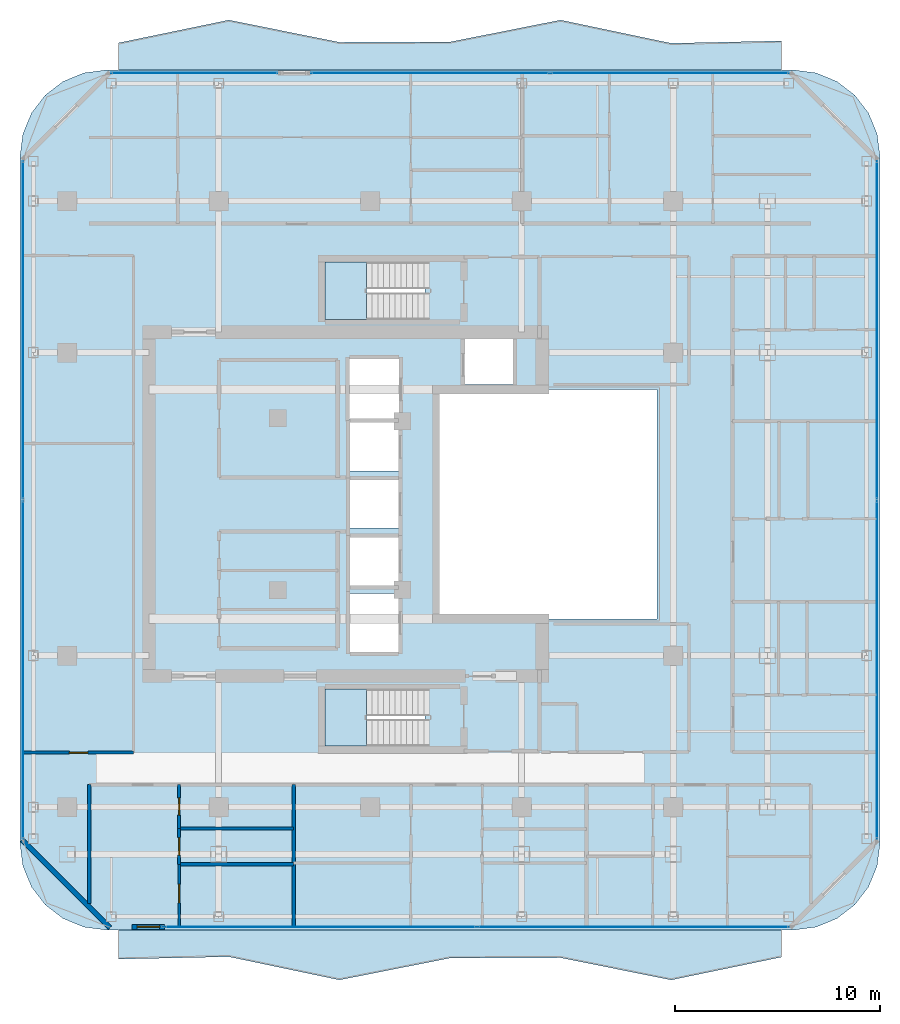
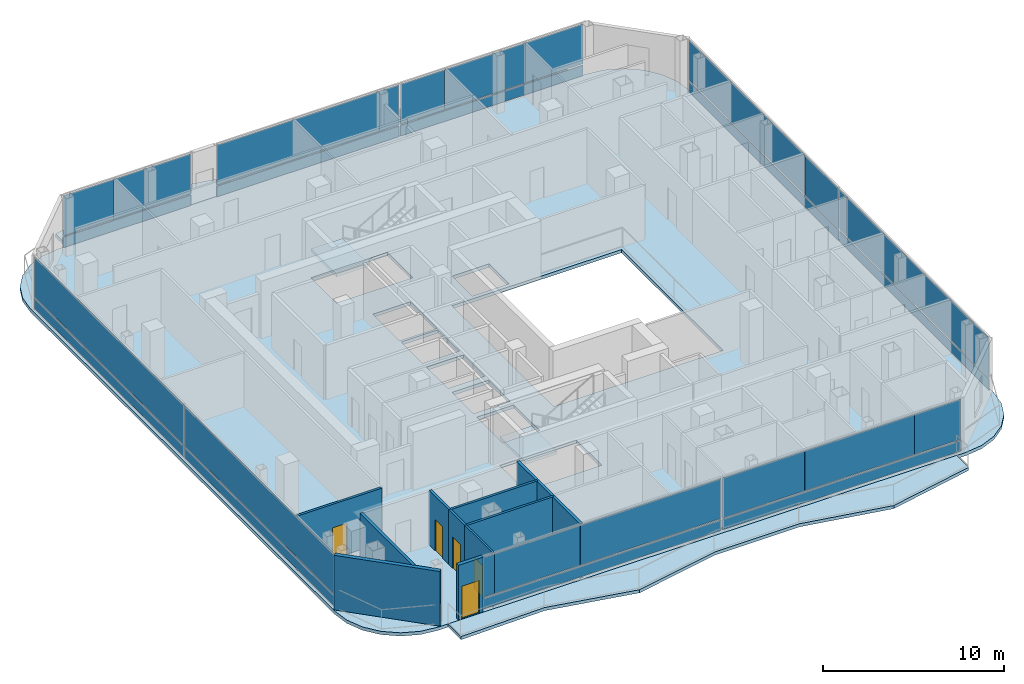
# One storey, part 16 of 24: 28 plates, 10 walls, 5 doors, 5 slabs, 5 openings, 7 elements without a shape of their own.
"""IFC4 building model written with IfcOpenShell, lengths in metres."""

from ifc_helpers import new_model, si_unit, direction, frame, frame_2d, origin, origin_2d, place, context, subcontext, project, spatial, polyline, rectangle, outline, extrude, material, layer, layer_set, type_object, element, fill, aggregate, save


model = new_model("IFC4")

# Units and contexts
model_context = context("Model", 3, precision=1e-05, world=origin(), true_north=direction((0.0, 1.0)))
body_context = subcontext(model_context, "Body", "Model", "MODEL_VIEW")
ifc_project = project(units=[si_unit("LENGTHUNIT", "METRE"), si_unit("AREAUNIT", "SQUARE_METRE"), si_unit("VOLUMEUNIT", "CUBIC_METRE"), si_unit("PLANEANGLEUNIT", "RADIAN"), si_unit("MASSUNIT", "GRAM", prefix="KILO")], contexts=[model_context])

# Site, building, storey
site_placement = place(None, origin())
site = spatial("IfcSite", under=ifc_project, at=site_placement, CompositionType="ELEMENT")
building_placement = place(site_placement, origin())
building = spatial("IfcBuilding", under=site, at=building_placement, Name="Khorvyn Point Tower", CompositionType="ELEMENT")
storey_placement = place(building_placement, frame((0.0, 0.0, 266.39990234375)))
storey = spatial("IfcBuildingStorey", under=building, at=storey_placement, Name="L65", CompositionType="ELEMENT", Elevation=266.39990234375)

# Slabs
ifc_material_1 = material(Name="Concrete C35/45", Category="concrete")
ifc_layer_1 = layer(ifc_material_1, 0.219970703125)
ifc_layer_set_1 = layer_set([ifc_layer_1], Name="Concrete C35/45 Structural Floor Slab 220")
slab_type_1 = type_object("IfcSlabType", Name="Concrete C35/45 Structural Floor Slab 220", PredefinedType="FLOOR", material=ifc_layer_set_1)
slab_1_placement = place(storey_placement, frame((0.0, 0.0, -0.219970703125)))
element("IfcSlab", 1, at=slab_1_placement, inside=storey, type_object=slab_type_1, Name="L65 Main Structural Floor Slab", PredefinedType="FLOOR", context=body_context, shape_type="SweptSolid", body=[
    extrude(outline(polyline([(-12.89990234375, -20.800048828125), (-13.987060546875, -20.656982421875), (-15.0, -20.2373046875), (-15.869873046875, -19.56982421875), (-16.537353515625, -18.699951171875), (-16.956787109375, -17.68701171875), (-17.10009765625, -16.60009765625), (-17.10009765625, 17.0), (-16.956787109375, 18.0869140625), (-16.537353515625, 19.10009765625), (-15.869873046875, 19.9697265625), (-15.0, 20.63720703125), (-13.987060546875, 21.056884765625), (-12.89990234375, 21.199951171875), (20.699951171875, 21.199951171875), (21.787109375, 21.056884765625), (22.800048828125, 20.63720703125), (23.669921875, 19.9697265625), (24.33740234375, 19.10009765625), (24.7568359375, 18.0869140625), (24.89990234375, 17.0), (24.89990234375, -16.60009765625), (24.7568359375, -17.68701171875), (24.33740234375, -18.699951171875), (23.669921875, -19.56982421875), (22.800048828125, -20.2373046875), (21.787109375, -20.656982421875), (20.699951171875, -20.800048828125), (-12.89990234375, -20.800048828125)]), holes=[polyline([(2.679931640625, -11.820068359375), (2.679931640625, -9.02001953125), (-2.199951171875, -9.02001953125), (-2.199951171875, -11.820068359375), (2.679931640625, -11.820068359375)]), polyline([(1.375, -7.22509765625), (1.375, -4.375), (-0.97509765625, -4.375), (-0.97509765625, -7.22509765625), (1.375, -7.22509765625)]), polyline([(1.375, -3.97509765625), (1.375, -1.625), (-0.97509765625, -1.625), (-0.97509765625, -3.97509765625), (1.375, -3.97509765625)]), polyline([(1.375, -1.175048828125), (1.375, 1.175048828125), (-0.97509765625, 1.175048828125), (-0.97509765625, -1.175048828125), (1.375, -1.175048828125)]), polyline([(14.0, -5.60009765625), (14.0, 5.60009765625), (3.199951171875, 5.60009765625), (3.199951171875, -5.60009765625), (14.0, -5.60009765625)]), polyline([(1.375, 1.625), (1.375, 3.97509765625), (-0.97509765625, 3.97509765625), (-0.97509765625, 1.625), (1.375, 1.625)]), polyline([(1.39990234375, 4.125), (1.39990234375, 7.074951171875), (-1.0, 7.074951171875), (-1.0, 4.125), (1.39990234375, 4.125)]), polyline([(4.625, 5.85009765625), (6.97509765625, 5.85009765625), (6.97509765625, 8.054931640625), (4.625, 8.054931640625), (4.625, 5.85009765625)]), polyline([(-2.199951171875, 9.02001953125), (2.679931640625, 9.02001953125), (2.679931640625, 11.820068359375), (-2.199951171875, 11.820068359375), (-2.199951171875, 9.02001953125)])]), origin(), (0.0, 0.0, 1.0), 0.219970703125),
])
ifc_material_2 = material(Name="Concrete C40/50", Category="concrete")
ifc_layer_2 = layer(ifc_material_2, 0.2099609375)
ifc_layer_set_2 = layer_set([ifc_layer_2], Name="Concrete C40/50 Rippling Balcony Slab 210")
slab_type_2 = type_object("IfcSlabType", Name="Concrete C40/50 Rippling Balcony Slab 210", PredefinedType="USERDEFINED", material=ifc_layer_set_2)
slab_2_placement = place(storey_placement, frame((0.0, 0.0, -0.2099609375)))
element("IfcSlab", 2, at=slab_2_placement, inside=storey, type_object=slab_type_2, Name="L65 North Sinusoidal Rippling Balcony", ObjectType="BALCONY", PredefinedType="USERDEFINED", context=body_context, shape_type="SweptSolid", body=[
    extrude(outline(polyline([(20.10009765625, 21.199951171875), (20.10009765625, 22.62255859375), (14.699951171875, 22.5068359375), (9.300048828125, 23.6416015625), (3.89990234375, 22.571533203125), (-1.5, 22.554931640625), (-6.89990234375, 23.642333984375), (-12.300048828125, 22.522705078125), (-12.300048828125, 21.199951171875), (20.10009765625, 21.199951171875)])), origin(), (0.0, 0.0, 1.0), 0.2099609375),
])
slab_3_placement = place(storey_placement, frame((0.0, 0.0, -0.2099609375)))
element("IfcSlab", 3, at=slab_3_placement, inside=storey, type_object=slab_type_2, Name="L65 South Sinusoidal Rippling Balcony", ObjectType="BALCONY", PredefinedType="USERDEFINED", context=body_context, shape_type="SweptSolid", body=[
    extrude(outline(polyline([(-12.300048828125, -20.800048828125), (-12.300048828125, -22.22265625), (-6.89990234375, -22.10693359375), (-1.5, -23.241455078125), (3.89990234375, -22.171630859375), (9.300048828125, -22.155029296875), (14.699951171875, -23.2421875), (20.10009765625, -22.12255859375), (20.10009765625, -20.800048828125), (-12.300048828125, -20.800048828125)])), origin(), (0.0, 0.0, 1.0), 0.2099609375),
])

# Stair, slab
stair_type = type_object("IfcStairType", Name="Tower Concrete C40/50 Dogleg Exit Stair", PredefinedType="HALF_TURN_STAIR", material=ifc_material_2)
stair_1_placement = place(storey_placement, origin())
stair_1 = element("IfcStair", 4, at=stair_1_placement, inside=storey, type_object=stair_type, Name="L65 Tower Smokeproof Exit Stair South", PredefinedType="HALF_TURN_STAIR")
ifc_layer_3 = layer(ifc_material_2, 0.199951171875)
ifc_layer_set_3 = layer_set([ifc_layer_3], Name="Concrete C40/50 Stair Landing Slab 200")
slab_type_3 = type_object("IfcSlabType", Name="Concrete C40/50 Stair Landing Slab 200", PredefinedType="LANDING", material=ifc_layer_set_3)
slab_4_placement = place(storey_placement, frame((0.0, 0.0, 1.75)))
slab_4 = element("IfcSlab", 5, at=slab_4_placement, type_object=slab_type_3, Name="ST-01 landing 1", PredefinedType="LANDING", context=body_context, shape_type="SweptSolid", body=[
    extrude(outline(polyline([(-0.179931640625, -9.02001953125), (-2.199951171875, -9.02001953125), (-2.199951171875, -11.820068359375), (-0.179931640625, -11.820068359375), (-0.179931640625, -9.02001953125)])), origin(), (0.0, 0.0, 1.0), 0.2001953125),
])
aggregate(stair_1, [slab_4])

stair_2_placement = place(storey_placement, origin())
stair_2 = element("IfcStair", 6, at=stair_2_placement, inside=storey, type_object=stair_type, Name="L65 Tower Smokeproof Exit Stair North", PredefinedType="HALF_TURN_STAIR")
slab_5_placement = place(storey_placement, frame((0.0, 0.0, 1.75)))
slab_5 = element("IfcSlab", 7, at=slab_5_placement, type_object=slab_type_3, Name="ST-02 landing 1", PredefinedType="LANDING", context=body_context, shape_type="SweptSolid", body=[
    extrude(outline(polyline([(-0.179931640625, 11.820068359375), (-2.199951171875, 11.820068359375), (-2.199951171875, 9.02001953125), (-0.179931640625, 9.02001953125), (-0.179931640625, 11.820068359375)])), origin(), (0.0, 0.0, 1.0), 0.2001953125),
])
aggregate(stair_2, [slab_5])

# Curtain wall, plates
ifc_material_3 = material(Name="Anodised aluminium 6063-T6 and laminated Low-E glass", Category="aluminium")
ifc_layer_4 = layer(ifc_material_3, 0.18994140625)
ifc_layer_set_4 = layer_set([ifc_layer_4], Name="Stick-Built High-Wind Curtain Wall CW-SYS-04")
curtain_wall_type = type_object("IfcCurtainWallType", Name="Stick-Built High-Wind Curtain Wall CW-SYS-04", PredefinedType="NOTDEFINED", material=ifc_layer_set_4)
curtain_wall_1_placement = place(storey_placement, origin())
curtain_wall_1 = element("IfcCurtainWall", 8, at=curtain_wall_1_placement, inside=storey, type_object=curtain_wall_type, Name="Curtain Wall", PredefinedType="NOTDEFINED")
ifc_material_4 = material(Name="Pale anodised aluminium 5005", Category="aluminium")
ifc_layer_5 = layer(ifc_material_4, 0.0400390625)
ifc_layer_set_5 = layer_set([ifc_layer_5], Name="Pale Champagne Aluminium Insulated Spandrel Panel CW-SP40")
plate_type_1 = type_object("IfcPlateType", Name="Pale Champagne Aluminium Insulated Spandrel Panel CW-SP40", PredefinedType="SHEET", material=ifc_layer_set_5)
plate_1_placement = place(storey_placement, frame((12.8603515625, -20.64990234375, 0.10009765625), z_axis=(0.0, 0.0, 1.0), x_axis=(-1.0, 0.0, 0.0)))
plate_1 = element("IfcPlate", 9, at=plate_1_placement, type_object=plate_type_1, Name="Panel", PredefinedType="SHEET", context=body_context, shape_type="SweptSolid", body=[
    extrude(rectangle(XDim=15.179443359375, YDim=0.0400390625, at=origin_2d()), origin(), (0.0, 0.0, 1.0), 0.699951171875),
])
plate_2_placement = place(storey_placement, frame((-2.419189453125, -20.64990234375, 0.10009765625), z_axis=(0.0, 0.0, 1.0), x_axis=(-1.0, 0.0, 0.0)))
plate_2 = element("IfcPlate", 10, at=plate_2_placement, type_object=plate_type_1, Name="Panel", PredefinedType="SHEET", context=body_context, shape_type="SweptSolid", body=[
    extrude(rectangle(XDim=15.179443359375, YDim=0.0400390625, at=origin_2d()), origin(), (0.0, 0.0, 1.0), 0.699951171875),
])

# Curtain wall, plate
curtain_wall_2_placement = place(storey_placement, origin())
curtain_wall_2 = element("IfcCurtainWall", 11, at=curtain_wall_2_placement, inside=storey, type_object=curtain_wall_type, Name="Curtain Wall", PredefinedType="NOTDEFINED")
plate_3_placement = place(storey_placement, frame((-8.58740234375, 21.050048828125, 0.10009765625), z_axis=(0.0, 0.0, 1.0), x_axis=(1.0, 0.0, 0.0)))
plate_3 = element("IfcPlate", 12, at=plate_3_placement, type_object=plate_type_1, Name="Panel", PredefinedType="SHEET", context=body_context, shape_type="SweptSolid", body=[
    extrude(rectangle(XDim=8.125, YDim=0.0400390625, at=origin_2d()), origin(), (0.0, 0.0, 1.0), 0.699951171875),
])

# Curtain wall, plates
curtain_wall_3_placement = place(storey_placement, origin())
curtain_wall_3 = element("IfcCurtainWall", 13, at=curtain_wall_3_placement, inside=storey, type_object=curtain_wall_type, Name="Curtain Wall", PredefinedType="NOTDEFINED")
plate_4_placement = place(storey_placement, frame((2.923828125, 21.050048828125, 0.10009765625), z_axis=(0.0, 0.0, 1.0), x_axis=(1.0, 0.0, 0.0)))
plate_4 = element("IfcPlate", 14, at=plate_4_placement, type_object=plate_type_1, Name="Panel", PredefinedType="SHEET", context=body_context, shape_type="SweptSolid", body=[
    extrude(rectangle(XDim=11.617431640625, YDim=0.0400390625, at=origin_2d()), origin(), (0.0, 0.0, 1.0), 0.699951171875),
])
plate_5_placement = place(storey_placement, frame((14.641357421875, 21.050048828125, 0.10009765625), z_axis=(0.0, 0.0, 1.0), x_axis=(1.0, 0.0, 0.0)))
plate_5 = element("IfcPlate", 15, at=plate_5_placement, type_object=plate_type_1, Name="Panel", PredefinedType="SHEET", context=body_context, shape_type="SweptSolid", body=[
    extrude(rectangle(XDim=11.617431640625, YDim=0.0400390625, at=origin_2d()), origin(), (0.0, 0.0, 1.0), 0.699951171875),
])

curtain_wall_4_placement = place(storey_placement, origin())
curtain_wall_4 = element("IfcCurtainWall", 16, at=curtain_wall_4_placement, inside=storey, type_object=curtain_wall_type, Name="Curtain Wall", PredefinedType="NOTDEFINED")
plate_6_placement = place(storey_placement, frame((-16.949951171875, -8.10009765625, 0.10009765625), z_axis=(0.0, 0.0, 1.0), x_axis=(0.0, 1.0, 0.0)))
plate_6 = element("IfcPlate", 17, at=plate_6_placement, type_object=plate_type_1, Name="Panel", PredefinedType="SHEET", context=body_context, shape_type="SweptSolid", body=[
    extrude(rectangle(XDim=16.5, YDim=0.0400390625, at=origin_2d()), origin(), (0.0, 0.0, 1.0), 0.699951171875),
])
plate_7_placement = place(storey_placement, frame((-16.949951171875, 8.5, 0.10009765625), z_axis=(0.0, 0.0, 1.0), x_axis=(0.0, 1.0, 0.0)))
plate_7 = element("IfcPlate", 18, at=plate_7_placement, type_object=plate_type_1, Name="Panel", PredefinedType="SHEET", context=body_context, shape_type="SweptSolid", body=[
    extrude(rectangle(XDim=16.5, YDim=0.0400390625, at=origin_2d()), origin(), (0.0, 0.0, 1.0), 0.699951171875),
])

curtain_wall_5_placement = place(storey_placement, origin())
curtain_wall_5 = element("IfcCurtainWall", 19, at=curtain_wall_5_placement, inside=storey, type_object=curtain_wall_type, Name="Curtain Wall", PredefinedType="NOTDEFINED")
plate_8_placement = place(storey_placement, frame((24.75, 8.5, 0.10009765625), z_axis=(0.0, 0.0, 1.0), x_axis=(0.0, -1.0, 0.0)))
plate_8 = element("IfcPlate", 20, at=plate_8_placement, type_object=plate_type_1, Name="Panel", PredefinedType="SHEET", context=body_context, shape_type="SweptSolid", body=[
    extrude(rectangle(XDim=16.5, YDim=0.0400390625, at=origin_2d()), origin(), (0.0, 0.0, 1.0), 0.699951171875),
])
plate_9_placement = place(storey_placement, frame((24.75, -8.10009765625, 0.10009765625), z_axis=(0.0, 0.0, 1.0), x_axis=(0.0, -1.0, 0.0)))
plate_9 = element("IfcPlate", 21, at=plate_9_placement, type_object=plate_type_1, Name="Panel", PredefinedType="SHEET", context=body_context, shape_type="SweptSolid", body=[
    extrude(rectangle(XDim=16.5, YDim=0.0400390625, at=origin_2d()), origin(), (0.0, 0.0, 1.0), 0.699951171875),
])

# Plate
ifc_material_5 = material(Name="Laminated Low-E insulated glass", Category="glass")
ifc_layer_6 = layer(ifc_material_5, 0.028076171875)
ifc_layer_set_6 = layer_set([ifc_layer_6], Name="Tempered Low-E Vision Glazing Panel CW-GL28")
plate_type_2 = type_object("IfcPlateType", Name="Tempered Low-E Vision Glazing Panel CW-GL28", PredefinedType="CURTAIN_PANEL", material=ifc_layer_set_6)
plate_10_placement = place(storey_placement, frame((7.88818359375, -20.64990234375, 0.89990234375), z_axis=(0.0, 0.0, 1.0), x_axis=(-1.0, 0.0, 0.0)))
plate_10 = element("IfcPlate", 22, at=plate_10_placement, type_object=plate_type_2, Name="Panel", PredefinedType="CURTAIN_PANEL", context=body_context, shape_type="SweptSolid", body=[
    extrude(rectangle(XDim=5.2275390625, YDim=0.028076171875, at=origin_2d()), origin(), (0.0, 0.0, 1.0), 2.679931640625),
])

plate_11_placement = place(storey_placement, frame((14.00439453125, -20.64990234375, 0.89990234375), z_axis=(0.0, 0.0, 1.0), x_axis=(-1.0, 0.0, 0.0)))
plate_11 = element("IfcPlate", 23, at=plate_11_placement, type_object=plate_type_2, Name="Panel", PredefinedType="CURTAIN_PANEL", context=body_context, shape_type="SweptSolid", body=[
    extrude(rectangle(XDim=6.989013671875, YDim=0.028076171875, at=origin_2d()), origin(), (0.0, 0.0, 1.0), 2.679931640625),
])

plate_12_placement = place(storey_placement, frame((18.9765625, -20.64990234375, 0.89990234375), z_axis=(0.0, 0.0, 1.0), x_axis=(-1.0, 0.0, 0.0)))
plate_12 = element("IfcPlate", 24, at=plate_12_placement, type_object=plate_type_2, Name="Panel", PredefinedType="CURTAIN_PANEL", context=body_context, shape_type="SweptSolid", body=[
    extrude(rectangle(XDim=2.93896484375, YDim=0.028076171875, at=origin_2d()), origin(), (0.0, 0.0, 1.0), 2.679931640625),
])

plate_13_placement = place(storey_placement, frame((-9.637939453125, -20.64990234375, 0.89990234375), z_axis=(0.0, 0.0, 1.0), x_axis=(-1.0, 0.0, 0.0)))
plate_13 = element("IfcPlate", 25, at=plate_13_placement, type_object=plate_type_2, Name="Panel", PredefinedType="CURTAIN_PANEL", context=body_context, shape_type="SweptSolid", body=[
    extrude(rectangle(XDim=0.73388671875, YDim=0.028076171875, at=origin_2d()), origin(), (0.0, 0.0, 1.0), 2.679931640625),
])

plate_14_placement = place(storey_placement, frame((-6.531005859375, -20.64990234375, 0.89990234375), z_axis=(0.0, 0.0, 1.0), x_axis=(-1.0, 0.0, 0.0)))
plate_14 = element("IfcPlate", 26, at=plate_14_placement, type_object=plate_type_2, Name="Panel", PredefinedType="CURTAIN_PANEL", context=body_context, shape_type="SweptSolid", body=[
    extrude(rectangle(XDim=5.464111328125, YDim=0.028076171875, at=origin_2d()), origin(), (0.0, 0.0, 1.0), 2.679931640625),
])

plate_15_placement = place(storey_placement, frame((0.687744140625, -20.64990234375, 0.89990234375), z_axis=(0.0, 0.0, 1.0), x_axis=(-1.0, 0.0, 0.0)))
plate_15 = element("IfcPlate", 27, at=plate_15_placement, type_object=plate_type_2, Name="Panel", PredefinedType="CURTAIN_PANEL", context=body_context, shape_type="SweptSolid", body=[
    extrude(rectangle(XDim=8.95751953125, YDim=0.028076171875, at=origin_2d()), origin(), (0.0, 0.0, 1.0), 2.679931640625),
])

aggregate(curtain_wall_1, [plate_1, plate_10, plate_11, plate_12, plate_2, plate_13, plate_14, plate_15])

plate_16_placement = place(storey_placement, frame((-11.052490234375, 21.050048828125, 0.89990234375), z_axis=(0.0, 0.0, 1.0), x_axis=(1.0, 0.0, 0.0)))
plate_16 = element("IfcPlate", 28, at=plate_16_placement, type_object=plate_type_2, Name="Panel", PredefinedType="CURTAIN_PANEL", context=body_context, shape_type="SweptSolid", body=[
    extrude(rectangle(XDim=3.18701171875, YDim=0.028076171875, at=origin_2d()), origin(), (0.0, 0.0, 1.0), 2.679931640625),
])

plate_17_placement = place(storey_placement, frame((-6.989990234375, 21.050048828125, 0.89990234375), z_axis=(0.0, 0.0, 1.0), x_axis=(1.0, 0.0, 0.0)))
plate_17 = element("IfcPlate", 29, at=plate_17_placement, type_object=plate_type_2, Name="Panel", PredefinedType="CURTAIN_PANEL", context=body_context, shape_type="SweptSolid", body=[
    extrude(rectangle(XDim=4.922119140625, YDim=0.028076171875, at=origin_2d()), origin(), (0.0, 0.0, 1.0), 2.679931640625),
])

aggregate(curtain_wall_2, [plate_3, plate_16, plate_17])

plate_18_placement = place(storey_placement, frame((2.299560546875, 21.050048828125, 0.89990234375), z_axis=(0.0, 0.0, 1.0), x_axis=(1.0, 0.0, 0.0)))
plate_18 = element("IfcPlate", 30, at=plate_18_placement, type_object=plate_type_2, Name="Panel", PredefinedType="CURTAIN_PANEL", context=body_context, shape_type="SweptSolid", body=[
    extrude(rectangle(XDim=10.361083984375, YDim=0.028076171875, at=origin_2d()), origin(), (0.0, 0.0, 1.0), 2.679931640625),
])

plate_19_placement = place(storey_placement, frame((8.108154296875, 21.050048828125, 0.89990234375), z_axis=(0.0, 0.0, 1.0), x_axis=(1.0, 0.0, 0.0)))
plate_19 = element("IfcPlate", 31, at=plate_19_placement, type_object=plate_type_2, Name="Panel", PredefinedType="CURTAIN_PANEL", context=body_context, shape_type="SweptSolid", body=[
    extrude(rectangle(XDim=1.240478515625, YDim=0.028076171875, at=origin_2d()), origin(), (0.0, 0.0, 1.0), 2.679931640625),
])

plate_20_placement = place(storey_placement, frame((10.228271484375, 21.050048828125, 0.89990234375), z_axis=(0.0, 0.0, 1.0), x_axis=(1.0, 0.0, 0.0)))
plate_20 = element("IfcPlate", 32, at=plate_20_placement, type_object=plate_type_2, Name="Panel", PredefinedType="CURTAIN_PANEL", context=body_context, shape_type="SweptSolid", body=[
    extrude(rectangle(XDim=2.783447265625, YDim=0.028076171875, at=origin_2d()), origin(), (0.0, 0.0, 1.0), 2.679931640625),
])

plate_21_placement = place(storey_placement, frame((14.2109375, 21.050048828125, 0.89990234375), z_axis=(0.0, 0.0, 1.0), x_axis=(1.0, 0.0, 0.0)))
plate_21 = element("IfcPlate", 33, at=plate_21_placement, type_object=plate_type_2, Name="Panel", PredefinedType="CURTAIN_PANEL", context=body_context, shape_type="SweptSolid", body=[
    extrude(rectangle(XDim=5.166015625, YDim=0.028076171875, at=origin_2d()), origin(), (0.0, 0.0, 1.0), 2.679931640625),
])

plate_22_placement = place(storey_placement, frame((18.6240234375, 21.050048828125, 0.89990234375), z_axis=(0.0, 0.0, 1.0), x_axis=(1.0, 0.0, 0.0)))
plate_22 = element("IfcPlate", 34, at=plate_22_placement, type_object=plate_type_2, Name="Panel", PredefinedType="CURTAIN_PANEL", context=body_context, shape_type="SweptSolid", body=[
    extrude(rectangle(XDim=3.64404296875, YDim=0.028076171875, at=origin_2d()), origin(), (0.0, 0.0, 1.0), 2.679931640625),
])

aggregate(curtain_wall_3, [plate_4, plate_18, plate_19, plate_5, plate_20, plate_21, plate_22])

plate_23_placement = place(storey_placement, frame((-16.949951171875, -8.10009765625, 0.89990234375), z_axis=(0.0, 0.0, 1.0), x_axis=(0.0, 1.0, 0.0)))
plate_23 = element("IfcPlate", 35, at=plate_23_placement, type_object=plate_type_2, Name="Panel", PredefinedType="CURTAIN_PANEL", context=body_context, shape_type="SweptSolid", body=[
    extrude(rectangle(XDim=16.5, YDim=0.028076171875, at=origin_2d()), origin(), (0.0, 0.0, 1.0), 2.679931640625),
])

plate_24_placement = place(storey_placement, frame((-16.949951171875, 8.5, 0.89990234375), z_axis=(0.0, 0.0, 1.0), x_axis=(0.0, 1.0, 0.0)))
plate_24 = element("IfcPlate", 36, at=plate_24_placement, type_object=plate_type_2, Name="Panel", PredefinedType="CURTAIN_PANEL", context=body_context, shape_type="SweptSolid", body=[
    extrude(rectangle(XDim=16.5, YDim=0.028076171875, at=origin_2d()), origin(), (0.0, 0.0, 1.0), 2.679931640625),
])

aggregate(curtain_wall_4, [plate_6, plate_23, plate_7, plate_24])

plate_25_placement = place(storey_placement, frame((24.75, 2.114990234375, 0.89990234375), z_axis=(0.0, 0.0, 1.0), x_axis=(0.0, -1.0, 0.0)))
plate_25 = element("IfcPlate", 37, at=plate_25_placement, type_object=plate_type_2, Name="Panel", PredefinedType="CURTAIN_PANEL", context=body_context, shape_type="SweptSolid", body=[
    extrude(rectangle(XDim=3.721923828125, YDim=0.028076171875, at=origin_2d()), origin(), (0.0, 0.0, 1.0), 2.679931640625),
])

plate_26_placement = place(storey_placement, frame((24.75, 10.364990234375, 0.89990234375), z_axis=(0.0, 0.0, 1.0), x_axis=(0.0, -1.0, 0.0)))
plate_26 = element("IfcPlate", 38, at=plate_26_placement, type_object=plate_type_2, Name="Panel", PredefinedType="CURTAIN_PANEL", context=body_context, shape_type="SweptSolid", body=[
    extrude(rectangle(XDim=12.761962890625, YDim=0.028076171875, at=origin_2d()), origin(), (0.0, 0.0, 1.0), 2.679931640625),
])

plate_27_placement = place(storey_placement, frame((24.75, -8.5029296875, 0.89990234375), z_axis=(0.0, 0.0, 1.0), x_axis=(0.0, -1.0, 0.0)))
plate_27 = element("IfcPlate", 39, at=plate_27_placement, type_object=plate_type_2, Name="Panel", PredefinedType="CURTAIN_PANEL", context=body_context, shape_type="SweptSolid", body=[
    extrude(rectangle(XDim=15.68603515625, YDim=0.028076171875, at=origin_2d()), origin(), (0.0, 0.0, 1.0), 2.679931640625),
])

plate_28_placement = place(storey_placement, frame((24.75, -0.2529296875, 0.89990234375), z_axis=(0.0, 0.0, 1.0), x_axis=(0.0, -1.0, 0.0)))
plate_28 = element("IfcPlate", 40, at=plate_28_placement, type_object=plate_type_2, Name="Panel", PredefinedType="CURTAIN_PANEL", context=body_context, shape_type="SweptSolid", body=[
    extrude(rectangle(XDim=0.798095703125, YDim=0.028076171875, at=origin_2d()), origin(), (0.0, 0.0, 1.0), 2.679931640625),
])

aggregate(curtain_wall_5, [plate_8, plate_25, plate_26, plate_9, plate_27, plate_28])

# Walls
ifc_material_6 = material(Name="Double acoustic gypsum on twin steel stud", Category="steel")
ifc_layer_7 = layer(ifc_material_6, 0.179931640625)
ifc_layer_set_7 = layer_set([ifc_layer_7], Name="Acoustic Double-Stud Apartment Demising Wall 180")
wall_type_1 = type_object("IfcWallType", Name="Acoustic Double-Stud Apartment Demising Wall 180", PredefinedType="PARTITIONING", material=ifc_layer_set_7)
wall_1_placement = place(storey_placement, frame((-13.719970703125, -19.510009765625, 0.0), z_axis=(0.0, 0.0, 1.0), x_axis=(0.0, 1.0, 0.0)))
element("IfcWall", 41, at=wall_1_placement, inside=storey, type_object=wall_type_1, Name="Wall", PredefinedType="PARTITIONING", context=body_context, shape_type="SweptSolid", body=[
    extrude(rectangle(XDim=5.81005859375, YDim=0.179931640625, at=frame_2d((2.905029296875, 0.0))), origin(), (0.0, 0.0, 1.0), 3.68017578125),
])
wall_2_placement = place(storey_placement, frame((-3.735107421875, -20.6298828125, 0.0), z_axis=(0.0, 0.0, 1.0), x_axis=(0.0, 1.0, 0.0)))
element("IfcWall", 42, at=wall_2_placement, inside=storey, type_object=wall_type_1, Name="Wall", PredefinedType="PARTITIONING", context=body_context, shape_type="SweptSolid", body=[
    extrude(rectangle(XDim=6.929931640625, YDim=0.179931640625, at=frame_2d((3.46484375, 0.0))), origin(), (0.0, 0.0, 1.0), 3.68017578125),
])

# Wall, opening, door
ifc_material_7 = material(Name="Pale anodised aluminium rainscreen on steel stud", Category="steel")
ifc_layer_8 = layer(ifc_material_7, 0.239990234375)
ifc_layer_set_8 = layer_set([ifc_layer_8], Name="Anodised Aluminium Insulated Corner Spandrel Wall 240")
wall_type_2 = type_object("IfcWallType", Name="Anodised Aluminium Insulated Corner Spandrel Wall 240", PredefinedType="SOLIDWALL", material=ifc_layer_set_8)
wall_3_placement = place(storey_placement, frame((-10.0390625, -20.64990234375, 0.0), z_axis=(0.0, 0.0, 1.0), x_axis=(-1.0, 0.0, 0.0)))
wall_3 = element("IfcWall", 43, at=wall_3_placement, inside=storey, type_object=wall_type_2, Name="L65 South Outdoor Threshold Wall", PredefinedType="SOLIDWALL", context=body_context, shape_type="SweptSolid", body=[
    extrude(rectangle(XDim=1.579833984375, YDim=0.239990234375, at=frame_2d((0.7900390625, 0.0))), origin(), (0.0, 0.0, 1.0), 3.68017578125),
])
opening_1_placement = place(wall_3_placement, frame((0.239990234375, 0.0, 0.0)))
opening_1 = element("IfcOpeningElement", 44, at=opening_1_placement, cuts=wall_3, Name="Opening BD-1122", PredefinedType="OPENING", context=body_context, shape_type="SweptSolid", body=[
    extrude(rectangle(XDim=1.10009765625, YDim=2.199951171875, at=frame_2d((0.550048828125, 1.10009765625))), frame((0.0, 0.1298828125, 0.0), z_axis=(0.0, -1.0, 0.0), x_axis=(1.0, 0.0, 0.0)), (0.0, 0.0, 1.0), 0.260009765625),
])
door_type_1 = type_object("IfcDoorType", Name="Glazed Balcony and Terrace Threshold Door 1100x2200", OperationType="NOTDEFINED", PredefinedType="DOOR", material=ifc_material_3)
door_1_placement = place(opening_1_placement, origin())
door_1 = element("IfcDoor", 45, at=door_1_placement, inside=storey, type_object=door_type_1, Name="L65 South Glazed Balcony Outdoor Door", OperationType="SINGLE_SWING_RIGHT", OverallHeight=2.199951171875, OverallWidth=1.10009765625, PredefinedType="DOOR", context=body_context, shape_type="SweptSolid", body=[
    extrude(rectangle(XDim=1.10009765625, YDim=2.199951171875, at=frame_2d((0.550048828125, 1.10009765625))), frame((0.0, 0.02490234375, 0.0), z_axis=(0.0, -1.0, 0.0), x_axis=(1.0, 0.0, 0.0)), (0.0, 0.0, 1.0), 0.050048828125),
])
fill(opening_1, door_1)

# Wall
wall_4_placement = place(storey_placement, frame((-12.70751953125, -20.6923828125, 0.0), z_axis=(0.0, 0.0, 1.0), x_axis=(-0.707126925818, 0.707086635981, 0.0)))
element("IfcWall", 46, at=wall_4_placement, inside=storey, type_object=wall_type_2, Name="L65 Rounded Corner Wall SW", PredefinedType="SOLIDWALL", context=body_context, shape_type="SweptSolid", body=[
    extrude(rectangle(XDim=6.0595703125, YDim=0.239990234375, at=frame_2d((3.02978515625, 0.0))), origin(), (0.0, 0.0, 1.0), 3.68017578125),
])

# Wall, opening, door
ifc_material_8 = material(Name="Gypsum plasterboard on steel stud", Category="steel")
ifc_layer_9 = layer(ifc_material_8, 0.1201171875)
ifc_layer_set_9 = layer_set([ifc_layer_9], Name="Gypsum Acoustic Stud Room Partition Wall 120")
wall_type_3 = type_object("IfcWallType", Name="Gypsum Acoustic Stud Room Partition Wall 120", PredefinedType="PARTITIONING", material=ifc_layer_set_9)
wall_5_placement = place(storey_placement, frame((-9.326904296875, -20.6298828125, 0.0), z_axis=(0.0, 0.0, 1.0), x_axis=(0.0, 1.0, 0.0)))
wall_5 = element("IfcWall", 47, at=wall_5_placement, inside=storey, type_object=wall_type_3, Name="Wall", PredefinedType="PARTITIONING", context=body_context, shape_type="SweptSolid", body=[
    extrude(rectangle(XDim=3.039794921875, YDim=0.1201171875, at=frame_2d((1.52001953125, 0.0))), origin(), (0.0, 0.0, 1.0), 3.68017578125),
])
opening_2_placement = place(wall_5_placement, frame((1.152587890625, 0.0, 0.0)))
opening_2 = element("IfcOpeningElement", 48, at=opening_2_placement, cuts=wall_5, Name="Opening ID-RM90", PredefinedType="OPENING", context=body_context, shape_type="SweptSolid", body=[
    extrude(rectangle(XDim=0.89990234375, YDim=2.10009765625, at=frame_2d((0.449951171875, 1.050048828125))), frame((0.0, 0.070068359375, 0.0), z_axis=(0.0, -1.0, 0.0), x_axis=(1.0, 0.0, 0.0)), (0.0, 0.0, 1.0), 0.14013671875),
])
ifc_material_9 = material(Name="Engineered oak veneer timber", Category="wood")
door_type_2 = type_object("IfcDoorType", Name="Flush Engineered Timber Room Door 900x2100", OperationType="NOTDEFINED", PredefinedType="DOOR", material=ifc_material_9)
door_2_placement = place(opening_2_placement, origin())
door_2 = element("IfcDoor", 49, at=door_2_placement, inside=storey, type_object=door_type_2, Name="Door", OperationType="SINGLE_SWING_LEFT", OverallHeight=2.10009765625, OverallWidth=0.89990234375, PredefinedType="DOOR", context=body_context, shape_type="SweptSolid", body=[
    extrude(rectangle(XDim=0.89990234375, YDim=2.10009765625, at=frame_2d((0.449951171875, 1.050048828125))), frame((0.0, 0.02490234375, 0.0), z_axis=(0.0, -1.0, 0.0), x_axis=(1.0, 0.0, 0.0)), (0.0, 0.0, 1.0), 0.050048828125),
])
fill(opening_2, door_2)

ifc_material_10 = material(Name="Moisture-resistant gypsum and cement board", Category="gypsum")
ifc_layer_10 = layer(ifc_material_10, 0.14990234375)
ifc_layer_set_10 = layer_set([ifc_layer_10], Name="Moisture-Resistant Wet-Room Partition Wall 150")
wall_type_4 = type_object("IfcWallType", Name="Moisture-Resistant Wet-Room Partition Wall 150", PredefinedType="PARTITIONING", material=ifc_layer_set_10)
wall_6_placement = place(storey_placement, frame((-9.326904296875, -15.839111328125, 0.0), z_axis=(0.0, 0.0, 1.0), x_axis=(0.0, 1.0, 0.0)))
wall_6 = element("IfcWall", 50, at=wall_6_placement, inside=storey, type_object=wall_type_4, Name="Wall", PredefinedType="PARTITIONING", context=body_context, shape_type="SweptSolid", body=[
    extrude(rectangle(XDim=2.13916015625, YDim=0.14990234375, at=frame_2d((1.069580078125, 0.0))), origin(), (0.0, 0.0, 1.0), 3.68017578125),
])
opening_3_placement = place(wall_6_placement, frame((0.64453125, 0.0, 0.0)))
opening_3 = element("IfcOpeningElement", 51, at=opening_3_placement, cuts=wall_6, Name="Opening ID-WC85", PredefinedType="OPENING", context=body_context, shape_type="SweptSolid", body=[
    extrude(rectangle(XDim=0.85009765625, YDim=2.10009765625, at=frame_2d((0.425048828125, 1.050048828125))), frame((0.0, 0.0849609375, 0.0), z_axis=(0.0, -1.0, 0.0), x_axis=(1.0, 0.0, 0.0)), (0.0, 0.0, 1.0), 0.169921875),
])
ifc_material_11 = material(Name="High-pressure laminate on moisture-resistant core", Category="wood")
door_type_3 = type_object("IfcDoorType", Name="Moisture-Resistant Accessible Washroom Door 850x2100", OperationType="NOTDEFINED", PredefinedType="DOOR", material=ifc_material_11)
door_3_placement = place(opening_3_placement, origin())
door_3 = element("IfcDoor", 52, at=door_3_placement, inside=storey, type_object=door_type_3, Name="Door", OperationType="SINGLE_SWING_LEFT", OverallHeight=2.10009765625, OverallWidth=0.85009765625, PredefinedType="DOOR", context=body_context, shape_type="SweptSolid", body=[
    extrude(rectangle(XDim=0.85009765625, YDim=2.10009765625, at=frame_2d((0.425048828125, 1.050048828125))), frame((0.0, 0.02490234375, 0.0), z_axis=(0.0, -1.0, 0.0), x_axis=(1.0, 0.0, 0.0)), (0.0, 0.0, 1.0), 0.050048828125),
])
fill(opening_3, door_3)

wall_7_placement = place(storey_placement, frame((-9.326904296875, -17.590087890625, 0.0), z_axis=(0.0, 0.0, 1.0), x_axis=(0.0, 1.0, 0.0)))
wall_7 = element("IfcWall", 53, at=wall_7_placement, inside=storey, type_object=wall_type_4, Name="Wall", PredefinedType="PARTITIONING", context=body_context, shape_type="SweptSolid", body=[
    extrude(rectangle(XDim=1.7509765625, YDim=0.14990234375, at=frame_2d((0.87548828125, 0.0))), origin(), (0.0, 0.0, 1.0), 3.68017578125),
])
opening_4_placement = place(wall_7_placement, frame((0.450439453125, 0.0, 0.0)))
opening_4 = element("IfcOpeningElement", 54, at=opening_4_placement, cuts=wall_7, Name="Opening ID-WC85", PredefinedType="OPENING", context=body_context, shape_type="SweptSolid", body=[
    extrude(rectangle(XDim=0.85009765625, YDim=2.10009765625, at=frame_2d((0.425048828125, 1.050048828125))), frame((0.0, 0.0849609375, 0.0), z_axis=(0.0, -1.0, 0.0), x_axis=(1.0, 0.0, 0.0)), (0.0, 0.0, 1.0), 0.169921875),
])
door_4_placement = place(opening_4_placement, origin())
door_4 = element("IfcDoor", 55, at=door_4_placement, inside=storey, type_object=door_type_3, Name="Door", OperationType="SINGLE_SWING_RIGHT", OverallHeight=2.10009765625, OverallWidth=0.85009765625, PredefinedType="DOOR", context=body_context, shape_type="SweptSolid", body=[
    extrude(rectangle(XDim=0.85009765625, YDim=2.10009765625, at=frame_2d((0.425048828125, 1.050048828125))), frame((0.0, 0.02490234375, 0.0), z_axis=(0.0, -1.0, 0.0), x_axis=(1.0, 0.0, 0.0)), (0.0, 0.0, 1.0), 0.050048828125),
])
fill(opening_4, door_4)

wall_8_placement = place(storey_placement, frame((-16.929931640625, -12.139892578125, 0.0), z_axis=(0.0, 0.0, 1.0), x_axis=(1.0, 0.0, 0.0)))
wall_8 = element("IfcWall", 56, at=wall_8_placement, inside=storey, type_object=wall_type_4, Name="Wall", PredefinedType="PARTITIONING", context=body_context, shape_type="SweptSolid", body=[
    extrude(rectangle(XDim=5.3798828125, YDim=0.14990234375, at=frame_2d((2.68994140625, 0.0))), origin(), (0.0, 0.0, 1.0), 3.68017578125),
])
opening_5_placement = place(wall_8_placement, frame((2.239990234375, 0.0, 0.0)))
opening_5 = element("IfcOpeningElement", 57, at=opening_5_placement, cuts=wall_8, Name="Opening ID-RM90", PredefinedType="OPENING", context=body_context, shape_type="SweptSolid", body=[
    extrude(rectangle(XDim=0.89990234375, YDim=2.10009765625, at=frame_2d((0.449951171875, 1.050048828125))), frame((0.0, 0.0849609375, 0.0), z_axis=(0.0, -1.0, 0.0), x_axis=(1.0, 0.0, 0.0)), (0.0, 0.0, 1.0), 0.169921875),
])
door_5_placement = place(opening_5_placement, origin())
door_5 = element("IfcDoor", 58, at=door_5_placement, inside=storey, type_object=door_type_2, Name="Door", OperationType="SINGLE_SWING_LEFT", OverallHeight=2.10009765625, OverallWidth=0.89990234375, PredefinedType="DOOR", context=body_context, shape_type="SweptSolid", body=[
    extrude(rectangle(XDim=0.89990234375, YDim=2.10009765625, at=frame_2d((0.449951171875, 1.050048828125))), frame((0.0, 0.02490234375, 0.0), z_axis=(0.0, -1.0, 0.0), x_axis=(1.0, 0.0, 0.0)), (0.0, 0.0, 1.0), 0.050048828125),
])
fill(opening_5, door_5)

# Walls
for number, where, z_axis, x_axis, name in (
    (59, (-9.326904296875, -15.839111328125, 0.0), (0.0, 0.0, 1.0), (1.0, 0.0, 0.0), "Wall"),
    (60, (-9.326904296875, -17.590087890625, 0.0), (0.0, 0.0, 1.0), (1.0, 0.0, 0.0), "Wall"),
):
    element("IfcWall", number, at=place(storey_placement, frame(where, z_axis=z_axis, x_axis=x_axis)), inside=storey, type_object=wall_type_4, Name=name, PredefinedType="PARTITIONING", context=body_context, shape_type="SweptSolid", body=[
        extrude(rectangle(XDim=5.591796875, YDim=0.14990234375, at=frame_2d((2.7958984375, 0.0))), origin(), (0.0, 0.0, 1.0), 3.68017578125),
    ])

save(model, "model.ifc")
